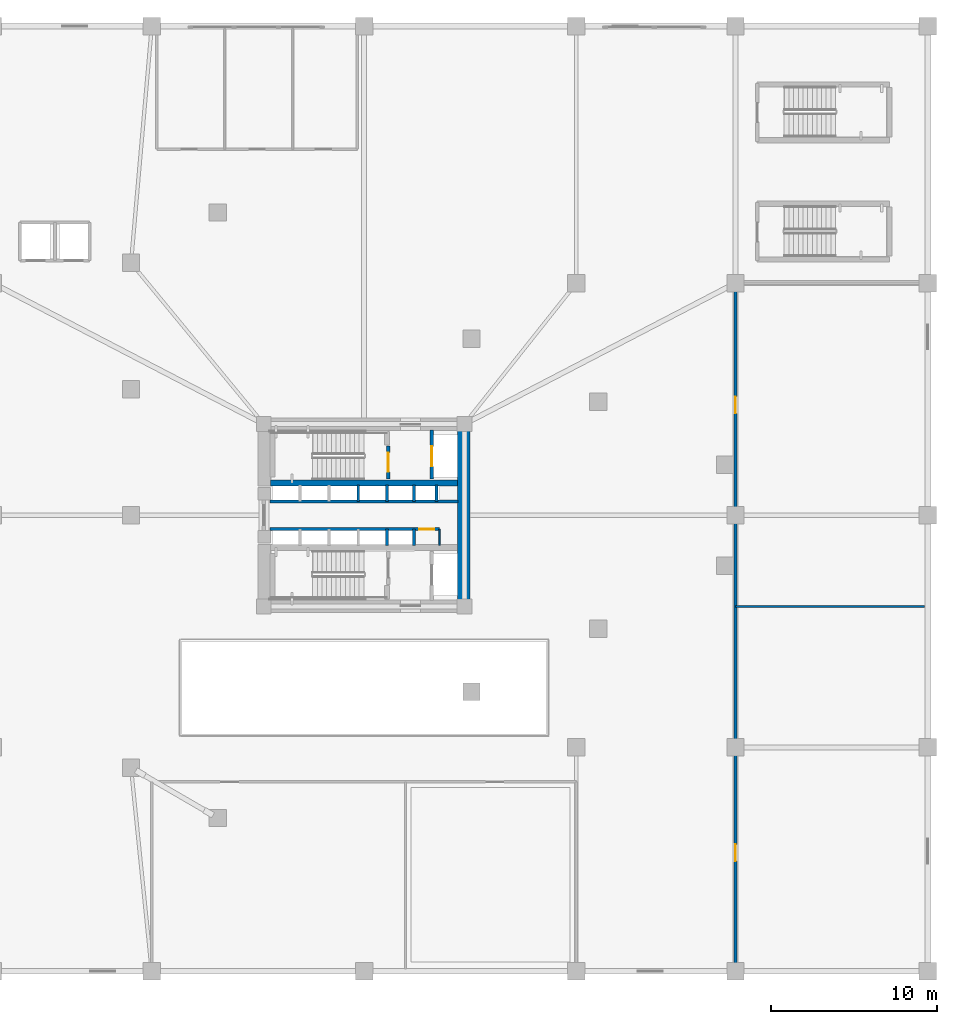
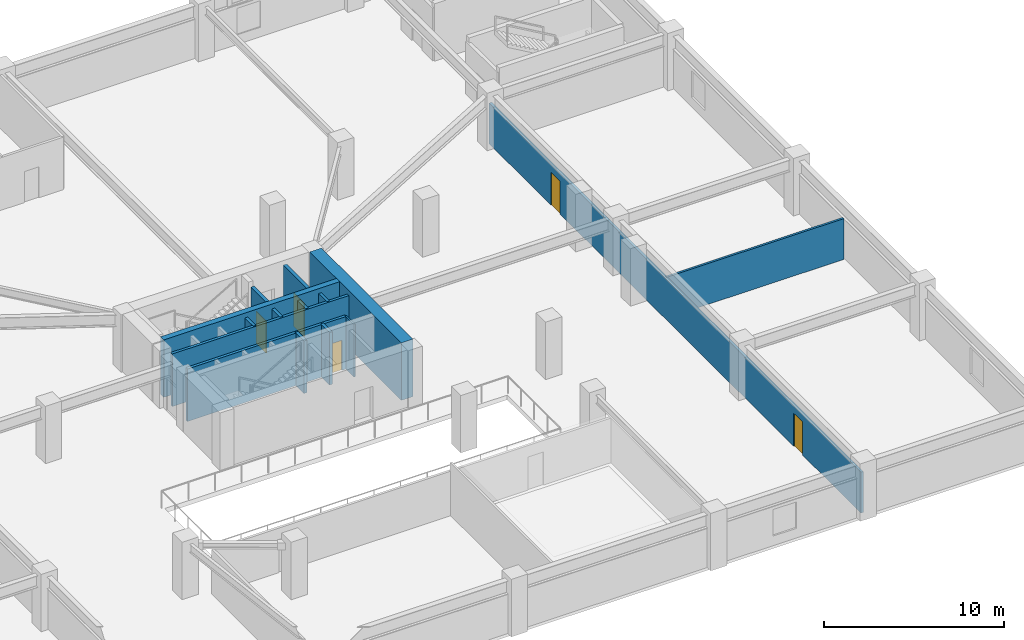
# One storey, part 5 of 15: 15 walls, 5 doors, 5 openings.
"""IFC4 building model written with IfcOpenShell, lengths in metres."""

from ifc_helpers import new_model, si_unit, direction, frame, frame_2d, origin, place, context, subcontext, project, spatial, rectangle, extrude, material, layer, layer_set, type_object, element, fill, save


model = new_model("IFC4")

# Units and contexts
model_context = context("Model", 3, precision=1e-05, world=origin(), true_north=direction((0.0, 1.0)))
body_context = subcontext(model_context, "Body", "Model", "MODEL_VIEW")
ifc_project = project(units=[si_unit("LENGTHUNIT", "METRE"), si_unit("AREAUNIT", "SQUARE_METRE"), si_unit("VOLUMEUNIT", "CUBIC_METRE"), si_unit("PLANEANGLEUNIT", "RADIAN"), si_unit("MASSUNIT", "GRAM", prefix="KILO")], contexts=[model_context])

# Site, building, storey
site_placement = place(None, origin())
site = spatial("IfcSite", under=ifc_project, at=site_placement, CompositionType="ELEMENT")
building_placement = place(site_placement, origin())
building = spatial("IfcBuilding", under=site, at=building_placement, Name="Yunling Apex Tower", CompositionType="ELEMENT")
storey_placement = place(building_placement, frame((0.0, 0.0, 8.39990234375)))
storey = spatial("IfcBuildingStorey", under=building, at=storey_placement, Name="L03", CompositionType="ELEMENT", Elevation=8.39990234375)

# Walls
ifc_material_1 = material(Name="Concrete C60", Category="concrete")
ifc_layer_1 = layer(ifc_material_1, 0.75)
ifc_layer_set_1 = layer_set([ifc_layer_1], Name="Concrete C60")
wall_type_1 = type_object("IfcWallType", Name="WL-COR-1", PredefinedType="SHEAR", material=ifc_layer_set_1)
wall_1_placement = place(storey_placement, frame((6.02490234375, -5.10009765625, 0.0), z_axis=(0.0, 0.0, 1.0), x_axis=(0.0, 1.0, 0.0)))
element("IfcWall", 1, at=wall_1_placement, inside=storey, type_object=wall_type_1, Name="L03 East Core Shear Wall", PredefinedType="SHEAR", context=body_context, shape_type="SweptSolid", body=[
    extrude(rectangle(XDim=10.2001953125, YDim=0.75, at=frame_2d((5.10009765625, 0.0))), origin(), (0.0, 0.0, 1.0), 3.900146484375),
])
ifc_material_2 = material(Name="Concrete C40", Category="concrete")
ifc_layer_2 = layer(ifc_material_2, 0.360107421875)
ifc_layer_set_2 = layer_set([ifc_layer_2], Name="Concrete C40")
wall_type_2 = type_object("IfcWallType", Name="WL-COR-4", PredefinedType="SHEAR", material=ifc_layer_set_2)
wall_2_placement = place(storey_placement, frame((-5.64990234375, 1.93994140625, 0.0), z_axis=(0.0, 0.0, 1.0), x_axis=(1.0, 0.0, 0.0)))
element("IfcWall", 2, at=wall_2_placement, inside=storey, type_object=wall_type_2, Name="L03 North Internal Core Shear Wall", PredefinedType="SHEAR", context=body_context, shape_type="SweptSolid", body=[
    extrude(rectangle(XDim=11.2998046875, YDim=0.360107421875, at=frame_2d((5.64990234375, 0.0))), origin(), (0.0, 0.0, 1.0), 3.900146484375),
])

# Wall, openings, doors
ifc_material_3 = material(Name="Gypsum board acoustic partition")
ifc_layer_3 = layer(ifc_material_3, 0.159912109375)
ifc_layer_set_3 = layer_set([ifc_layer_3], Name="Gypsum board acoustic partition")
wall_type_3 = type_object("IfcWallType", Name="WL-PRT-1", PredefinedType="PARTITIONING", material=ifc_layer_set_3)
wall_3_placement = place(storey_placement, frame((22.39990234375, -27.35009765625, 0.0), z_axis=(0.0, 0.0, 1.0), x_axis=(0.0, 1.0, 0.0)))
wall_3 = element("IfcWall", 3, at=wall_3_placement, inside=storey, type_object=wall_type_3, Name="WL-L03-EW", PredefinedType="PARTITIONING", context=body_context, shape_type="SweptSolid", body=[
    extrude(rectangle(XDim=41.35009765625, YDim=0.159912109375, at=frame_2d((20.675048828125, 0.0))), origin(), (0.0, 0.0, 1.0), 2.775146484375),
])
opening_1_placement = place(wall_3_placement, frame((6.5, 0.0, 0.0)))
opening_1 = element("IfcOpeningElement", 4, at=opening_1_placement, cuts=wall_3, Name="Opening DR-OFF-1", PredefinedType="OPENING", context=body_context, shape_type="SweptSolid", body=[
    extrude(rectangle(XDim=1.0, YDim=2.25, at=frame_2d((0.5, 1.125))), frame((0.0, 0.08984375, 0.0), z_axis=(0.0, -1.0, 0.0), x_axis=(1.0, 0.0, 0.0)), (0.0, 0.0, 1.0), 0.179931640625),
])
opening_2_placement = place(wall_3_placement, frame((33.5, 0.0, 0.0)))
opening_2 = element("IfcOpeningElement", 5, at=opening_2_placement, cuts=wall_3, Name="Opening DR-OFF-1", PredefinedType="OPENING", context=body_context, shape_type="SweptSolid", body=[
    extrude(rectangle(XDim=1.0, YDim=2.25, at=frame_2d((0.5, 1.125))), frame((0.0, 0.08984375, 0.0), z_axis=(0.0, -1.0, 0.0), x_axis=(1.0, 0.0, 0.0)), (0.0, 0.0, 1.0), 0.179931640625),
])
ifc_material_4 = material(Name="Bronze anodised aluminium", Category="aluminium")
door_type_1 = type_object("IfcDoorType", Name="DR-OFF-1", OperationType="NOTDEFINED", PredefinedType="DOOR", material=ifc_material_4)
door_1_placement = place(opening_1_placement, origin())
door_1 = element("IfcDoor", 6, at=door_1_placement, inside=storey, type_object=door_type_1, Name="L03 Design Bookstore Shop Door", OperationType="SINGLE_SWING_RIGHT", OverallHeight=2.25, OverallWidth=1.0, PredefinedType="DOOR", context=body_context, shape_type="SweptSolid", body=[
    extrude(rectangle(XDim=1.0, YDim=2.25, at=frame_2d((0.5, 1.125))), frame((0.0, 0.02490234375, 0.0), z_axis=(0.0, -1.0, 0.0), x_axis=(1.0, 0.0, 0.0)), (0.0, 0.0, 1.0), 0.050048828125),
])
fill(opening_1, door_1)
door_2_placement = place(opening_2_placement, origin())
door_2 = element("IfcDoor", 7, at=door_2_placement, inside=storey, type_object=door_type_1, Name="L03 VIP Reception Foyer Door", OperationType="SINGLE_SWING_LEFT", OverallHeight=2.25, OverallWidth=1.0, PredefinedType="DOOR", context=body_context, shape_type="SweptSolid", body=[
    extrude(rectangle(XDim=1.0, YDim=2.25, at=frame_2d((0.5, 1.125))), frame((0.0, 0.02490234375, 0.0), z_axis=(0.0, -1.0, 0.0), x_axis=(1.0, 0.0, 0.0)), (0.0, 0.0, 1.0), 0.050048828125),
])
fill(opening_2, door_2)

# Walls
ifc_layer_4 = layer(ifc_material_3, 0.139892578125)
ifc_layer_set_4 = layer_set([ifc_layer_4], Name="Gypsum board acoustic partition")
wall_type_4 = type_object("IfcWallType", Name="WL-PRT-2", PredefinedType="PARTITIONING", material=ifc_layer_set_4)
wall_4_placement = place(storey_placement, frame((22.39990234375, -5.5, 0.0), z_axis=(0.0, 0.0, 1.0), x_axis=(1.0, 0.0, 0.0)))
element("IfcWall", 8, at=wall_4_placement, inside=storey, type_object=wall_type_4, Name="WL-L03-EM", PredefinedType="PARTITIONING", context=body_context, shape_type="SweptSolid", body=[
    extrude(rectangle(XDim=11.400146484375, YDim=0.139892578125, at=frame_2d((5.7001953125, 0.0))), origin(), (0.0, 0.0, 1.0), 2.775146484375),
])
ifc_layer_5 = layer(ifc_material_3, 0.10009765625)
ifc_layer_set_5 = layer_set([ifc_layer_5], Name="Gypsum board acoustic partition")
wall_type_5 = type_object("IfcWallType", Name="WL-PRT-4", PredefinedType="PARTITIONING", material=ifc_layer_set_5)
wall_5_placement = place(storey_placement, frame((4.5400390625, -1.820068359375, 0.0), z_axis=(0.0, 0.0, 1.0), x_axis=(0.0, 1.0, 0.0)))
element("IfcWall", 9, at=wall_5_placement, inside=storey, type_object=wall_type_5, Name="WL-KASE-E-L03", PredefinedType="PARTITIONING", context=body_context, shape_type="SweptSolid", body=[
    extrude(rectangle(XDim=0.97998046875, YDim=0.10009765625, at=frame_2d((0.489990234375, 0.0))), origin(), (0.0, 0.0, 1.0), 3.570068359375),
])

# Wall, opening, door
ifc_material_5 = material(Name="Autoclaved aerated concrete masonry", Category="masonry")
ifc_layer_6 = layer(ifc_material_5, 0.219970703125)
ifc_layer_set_6 = layer_set([ifc_layer_6], Name="Autoclaved aerated concrete masonry")
wall_type_6 = type_object("IfcWallType", Name="WL-SHF-1", PredefinedType="PLUMBINGWALL", material=ifc_layer_set_6)
wall_6_placement = place(storey_placement, frame((1.449951171875, 2.199951171875, 0.0), z_axis=(0.0, 0.0, 1.0), x_axis=(0.0, 1.0, 0.0)))
wall_6 = element("IfcWall", 10, at=wall_6_placement, inside=storey, type_object=wall_type_6, Name="WL-ST1-E-L03", PredefinedType="PLUMBINGWALL", context=body_context, shape_type="SweptSolid", body=[
    extrude(rectangle(XDim=1.97998046875, YDim=0.219970703125, at=frame_2d((0.989990234375, 0.0))), origin(), (0.0, 0.0, 1.0), 3.570068359375),
])
opening_3_placement = place(wall_6_placement, frame((0.419921875, 0.0, 0.0)))
opening_3 = element("IfcOpeningElement", 11, at=opening_3_placement, cuts=wall_6, Name="Opening DR-ST-1", PredefinedType="OPENING", context=body_context, shape_type="SweptSolid", body=[
    extrude(rectangle(XDim=1.14990234375, YDim=2.14990234375, at=frame_2d((0.574951171875, 1.074951171875))), frame((0.0, 0.1201171875, 0.0), z_axis=(0.0, -1.0, 0.0), x_axis=(1.0, 0.0, 0.0)), (0.0, 0.0, 1.0), 0.239990234375),
])
ifc_material_6 = material(Name="Steel Q355B", Category="steel")
door_type_2 = type_object("IfcDoorType", Name="DR-ST-1", OperationType="NOTDEFINED", PredefinedType="DOOR", material=ifc_material_6)
door_3_placement = place(opening_3_placement, origin())
door_3 = element("IfcDoor", 12, at=door_3_placement, inside=storey, type_object=door_type_2, Name="L03 Stair ST-1 Fire Door", OperationType="SINGLE_SWING_RIGHT", OverallHeight=2.14990234375, OverallWidth=1.14990234375, PredefinedType="DOOR", context=body_context, shape_type="SweptSolid", body=[
    extrude(rectangle(XDim=1.14990234375, YDim=2.14990234375, at=frame_2d((0.574951171875, 1.074951171875))), frame((0.0, 0.02490234375, 0.0), z_axis=(0.0, -1.0, 0.0), x_axis=(1.0, 0.0, 0.0)), (0.0, 0.0, 1.0), 0.050048828125),
])
fill(opening_3, door_3)

wall_7_placement = place(storey_placement, frame((4.080078125, 2.199951171875, 0.0), z_axis=(0.0, 0.0, 1.0), x_axis=(0.0, 1.0, 0.0)))
wall_7 = element("IfcWall", 13, at=wall_7_placement, inside=storey, type_object=wall_type_6, Name="WL-FFL1-W-L03", PredefinedType="PLUMBINGWALL", context=body_context, shape_type="SweptSolid", body=[
    extrude(rectangle(XDim=2.949951171875, YDim=0.219970703125, at=frame_2d((1.47509765625, 0.0))), origin(), (0.0, 0.0, 1.0), 3.570068359375),
])
opening_4_placement = place(wall_7_placement, frame((0.75, 0.0, 0.0)))
opening_4 = element("IfcOpeningElement", 14, at=opening_4_placement, cuts=wall_7, Name="Opening LD-FFL-1", PredefinedType="OPENING", context=body_context, shape_type="SweptSolid", body=[
    extrude(rectangle(XDim=1.199951171875, YDim=2.25, at=frame_2d((0.60009765625, 1.125))), frame((0.0, 0.1201171875, 0.0), z_axis=(0.0, -1.0, 0.0), x_axis=(1.0, 0.0, 0.0)), (0.0, 0.0, 1.0), 0.239990234375),
])
door_type_3 = type_object("IfcDoorType", Name="LD-FFL-1", OperationType="DOUBLE_DOOR_SLIDING", PredefinedType="DOOR", material=ifc_material_6)
door_4_placement = place(opening_4_placement, origin())
door_4 = element("IfcDoor", 15, at=door_4_placement, inside=storey, type_object=door_type_3, Name="L03 Lift FFL-1 Landing Door", OperationType="DOUBLE_DOOR_SLIDING", OverallHeight=2.25, OverallWidth=1.199951171875, PredefinedType="DOOR", context=body_context, shape_type="SweptSolid", body=[
    extrude(rectangle(XDim=1.199951171875, YDim=2.25, at=frame_2d((0.60009765625, 1.125))), frame((0.0, 0.02490234375, 0.0), z_axis=(0.0, -1.0, 0.0), x_axis=(1.0, 0.0, 0.0)), (0.0, 0.0, 1.0), 0.050048828125),
])
fill(opening_4, door_4)

# Walls
ifc_layer_7 = layer(ifc_material_5, 0.179931640625)
ifc_layer_set_7 = layer_set([ifc_layer_7], Name="Autoclaved aerated concrete masonry")
wall_type_7 = type_object("IfcWallType", Name="WL-SHF-2", PredefinedType="PLUMBINGWALL", material=ifc_layer_set_7)
for number, where, z_axis, x_axis, name in (
    (16, (-0.35009765625, 0.840087890625, 0.0), (0.0, 0.0, 1.0), (0.0, 1.0, 0.0), "WL-DIV-M12-L03"),
    (17, (1.3798828125, 0.840087890625, 0.0), (0.0, 0.0, 1.0), (0.0, 1.0, 0.0), "WL-BNK-MH-N-L03"),
    (18, (1.3798828125, -1.820068359375, 0.0), (0.0, 0.0, 1.0), (0.0, 1.0, 0.0), "WL-BNK-MH-S-L03"),
    (19, (3.02001953125, 0.840087890625, 0.0), (0.0, 0.0, 1.0), (0.0, 1.0, 0.0), "WL-DIV-H13-L03"),
    (20, (4.3798828125, 0.840087890625, 0.0), (0.0, 0.0, 1.0), (0.0, 1.0, 0.0), "WL-END-H3E-L03"),
    (21, (3.02001953125, -1.820068359375, 0.0), (0.0, 0.0, 1.0), (0.0, 1.0, 0.0), "WL-END-H2E-L03"),
):
    element("IfcWall", number, at=place(storey_placement, frame(where, z_axis=z_axis, x_axis=x_axis)), inside=storey, type_object=wall_type_7, Name=name, PredefinedType="PLUMBINGWALL", context=body_context, shape_type="SweptSolid", body=[
        extrude(rectangle(XDim=0.97998046875, YDim=0.179931640625, at=frame_2d((0.489990234375, 0.0))), origin(), (0.0, 0.0, 1.0), 3.570068359375),
    ])
wall_8_placement = place(storey_placement, frame((-5.679931640625, 0.840087890625, 0.0), z_axis=(0.0, 0.0, 1.0), x_axis=(1.0, 0.0, 0.0)))
element("IfcWall", 22, at=wall_8_placement, inside=storey, type_object=wall_type_7, Name="WL-LOB-N-L03", PredefinedType="PLUMBINGWALL", context=body_context, shape_type="SweptSolid", body=[
    extrude(rectangle(XDim=11.329833984375, YDim=0.179931640625, at=frame_2d((5.6650390625, 0.0))), origin(), (0.0, 0.0, 1.0), 3.570068359375),
])

# Wall, opening, door
wall_9_placement = place(storey_placement, frame((-5.679931640625, -0.840087890625, 0.0), z_axis=(0.0, 0.0, 1.0), x_axis=(1.0, 0.0, 0.0)))
wall_9 = element("IfcWall", 23, at=wall_9_placement, inside=storey, type_object=wall_type_7, Name="WL-LOB-S-L03", PredefinedType="PLUMBINGWALL", context=body_context, shape_type="SweptSolid", body=[
    extrude(rectangle(XDim=10.219970703125, YDim=0.179931640625, at=frame_2d((5.10986328125, 0.0))), origin(), (0.0, 0.0, 1.0), 3.570068359375),
])
opening_5_placement = place(wall_9_placement, frame((9.02001953125, 0.0, 0.0)))
opening_5 = element("IfcOpeningElement", 24, at=opening_5_placement, cuts=wall_9, Name="Opening DR-SHF-1", PredefinedType="OPENING", context=body_context, shape_type="SweptSolid", body=[
    extrude(rectangle(XDim=0.89990234375, YDim=2.050048828125, at=frame_2d((0.449951171875, 1.02490234375))), frame((0.0, 0.10009765625, 0.0), z_axis=(0.0, -1.0, 0.0), x_axis=(1.0, 0.0, 0.0)), (0.0, 0.0, 1.0), 0.199951171875),
])
door_type_4 = type_object("IfcDoorType", Name="DR-SHF-1", OperationType="NOTDEFINED", PredefinedType="DOOR", material=ifc_material_6)
door_5_placement = place(opening_5_placement, origin())
door_5 = element("IfcDoor", 25, at=door_5_placement, inside=storey, type_object=door_type_4, Name="L03 Core Electrical Room Door", OperationType="SINGLE_SWING_RIGHT", OverallHeight=2.050048828125, OverallWidth=0.89990234375, PredefinedType="DOOR", context=body_context, shape_type="SweptSolid", body=[
    extrude(rectangle(XDim=0.89990234375, YDim=2.050048828125, at=frame_2d((0.449951171875, 1.02490234375))), frame((0.0, 0.02490234375, 0.0), z_axis=(0.0, -1.0, 0.0), x_axis=(1.0, 0.0, 0.0)), (0.0, 0.0, 1.0), 0.050048828125),
])
fill(opening_5, door_5)

save(model, "model.ifc")
